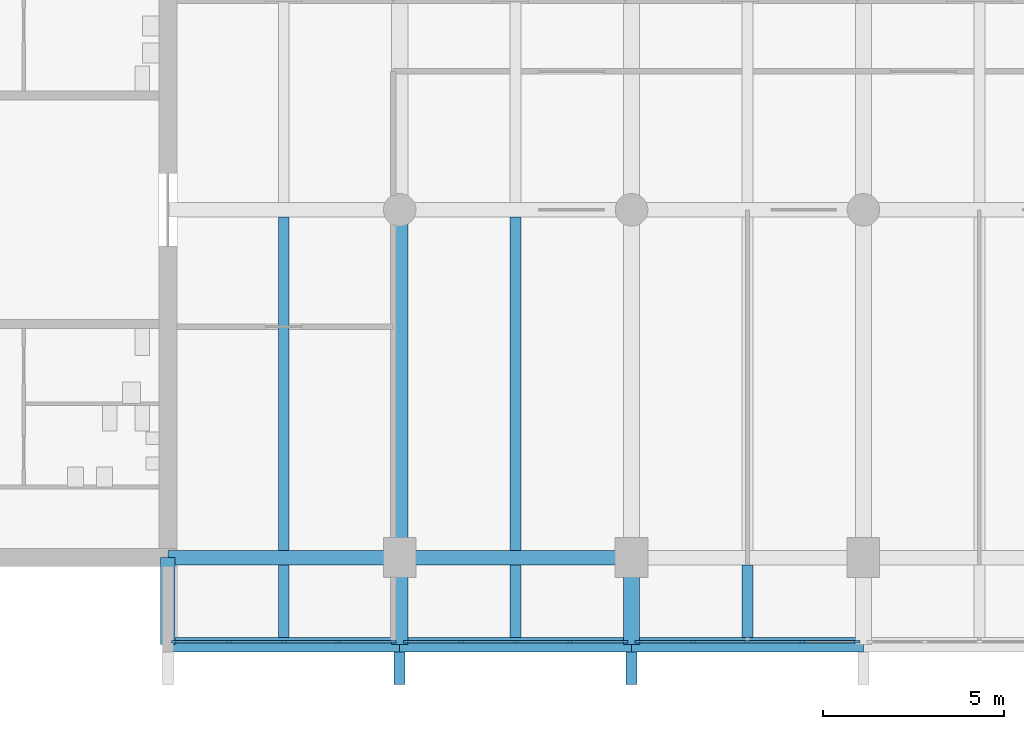
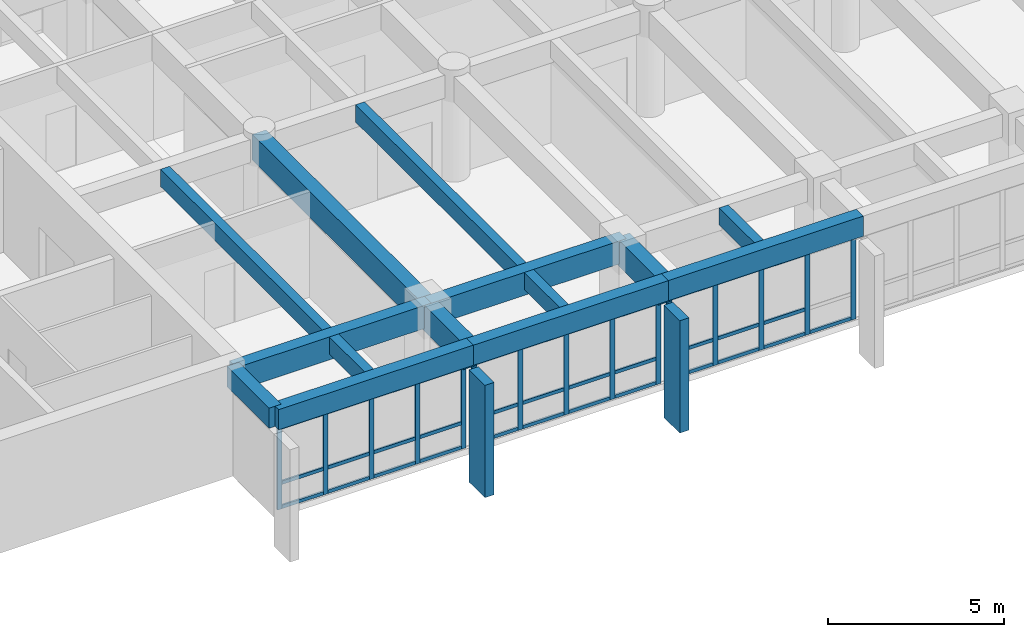
# One storey, part 2 of 15: 51 members, 14 beams, 3 elements without a shape of their own.
"""IFC4 building model written with IfcOpenShell, lengths in metres."""

from ifc_helpers import new_model, si_unit, direction, frame, origin, origin_2d, place, context, subcontext, project, spatial, rectangle, extrude, material, layer, layer_set, material_profile, profile_set, type_object, element, aggregate, save


model = new_model("IFC4")

# Units and contexts
model_context = context("Model", 3, precision=1e-05, world=origin(), true_north=direction((0.0, 1.0)))
body_context = subcontext(model_context, "Body", "Model", "MODEL_VIEW")
ifc_project = project(units=[si_unit("LENGTHUNIT", "METRE"), si_unit("AREAUNIT", "SQUARE_METRE"), si_unit("VOLUMEUNIT", "CUBIC_METRE"), si_unit("PLANEANGLEUNIT", "RADIAN"), si_unit("MASSUNIT", "GRAM", prefix="KILO")], contexts=[model_context])

# Site, building, storey
site_placement = place(None, origin())
site = spatial("IfcSite", under=ifc_project, at=site_placement, CompositionType="ELEMENT")
building_placement = place(site_placement, origin())
building = spatial("IfcBuilding", under=site, at=building_placement, Name="Fogon Plaza Fire Station and Headquarters Tower", CompositionType="ELEMENT")
storey_placement = place(building_placement, frame((0.0, 0.0, 44.39990234375)))
storey = spatial("IfcBuildingStorey", under=building, at=storey_placement, Name="L11", CompositionType="ELEMENT", Elevation=44.39990234375)

# Beams
ifc_material_1 = material(Name="Concrete C40", Category="concrete")
ifc_material_profile_1 = material_profile(ifc_material_1, rectangle(XDim=0.39990234375, YDim=0.699951171875, at=origin_2d()), Name="RC 400x700")
ifc_profile_set_1 = profile_set([ifc_material_profile_1], Name="Concrete C40")
beam_type_1 = type_object("IfcBeamType", Name="BEAM RC 400x700", PredefinedType="BEAM", material=ifc_profile_set_1)
for number, where, z_axis, x_axis, name in (
    (1, (25.60009765625, 31.199951171875, 3.330078125), (1.0, 0.0, 0.0), (0.0, 1.0, 0.0), "beam-L11-039"),
    (2, (32.0, 31.199951171875, 3.330078125), (1.0, 0.0, 0.0), (0.0, 1.0, 0.0), "beam-L11-040"),
):
    element("IfcBeam", number, at=place(storey_placement, frame(where, z_axis=z_axis, x_axis=x_axis)), inside=storey, type_object=beam_type_1, Name=name, PredefinedType="BEAM", context=body_context, shape_type="SweptSolid", body=[
        extrude(rectangle(XDim=0.39990234375, YDim=0.699951171875, at=origin_2d()), origin(), (0.0, 0.0, 1.0), 6.39990234375),
    ])
beam_1_placement = place(storey_placement, frame((38.39990234375, 31.199951171875, 3.330078125), z_axis=(1.0, 0.0, 0.0), x_axis=(0.0, 1.0, 0.0)))
element("IfcBeam", 3, at=beam_1_placement, inside=storey, type_object=beam_type_1, Name="beam-L11-041", PredefinedType="BEAM", context=body_context, shape_type="SweptSolid", body=[
    extrude(rectangle(XDim=0.39990234375, YDim=0.699951171875, at=origin_2d()), origin(), (0.0, 0.0, 1.0), 6.400146484375),
])
ifc_material_2 = material(Name="Concrete C40", Category="concrete")
ifc_material_profile_2 = material_profile(ifc_material_2, rectangle(XDim=0.39990234375, YDim=0.699951171875, at=origin_2d()), Name="RC 400x700")
ifc_profile_set_2 = profile_set([ifc_material_profile_2], Name="Concrete C40")
beam_type_2 = type_object("IfcBeamType", Name="BEAM RC 400x700 SPAN 0.0 TO 3.0 M", PredefinedType="BEAM", material=ifc_profile_set_2)
beam_2_placement = place(storey_placement, frame((25.60009765625, 31.199951171875, 3.330078125), z_axis=(0.0, 1.0, 0.0), x_axis=(-1.0, 0.0, 0.0)))
element("IfcBeam", 4, at=beam_2_placement, inside=storey, type_object=beam_type_2, Name="beam-L11-051", PredefinedType="BEAM", context=body_context, shape_type="SweptSolid", body=[
    extrude(rectangle(XDim=0.39990234375, YDim=0.699951171875, at=origin_2d()), origin(), (0.0, 0.0, 1.0), 2.400146484375),
])
ifc_material_3 = material(Name="Concrete C40", Category="concrete")
ifc_material_profile_3 = material_profile(ifc_material_3, rectangle(XDim=0.39990234375, YDim=0.800048828125, at=origin_2d()), Name="RC 400x800")
ifc_profile_set_3 = profile_set([ifc_material_profile_3], Name="Concrete C40")
beam_type_3 = type_object("IfcBeamType", Name="BEAM RC 400x800", PredefinedType="BEAM", material=ifc_profile_set_3)
for number, where, z_axis, x_axis, name in (
    (5, (25.60009765625, 33.60009765625, 3.280029296875), (1.0, 0.0, 0.0), (0.0, 1.0, 0.0), "beam-L11-021"),
    (6, (32.0, 33.60009765625, 3.280029296875), (1.0, 0.0, 0.0), (0.0, 1.0, 0.0), "beam-L11-022"),
):
    element("IfcBeam", number, at=place(storey_placement, frame(where, z_axis=z_axis, x_axis=x_axis)), inside=storey, type_object=beam_type_3, Name=name, PredefinedType="BEAM", context=body_context, shape_type="SweptSolid", body=[
        extrude(rectangle(XDim=0.39990234375, YDim=0.800048828125, at=origin_2d()), origin(), (0.0, 0.0, 1.0), 6.39990234375),
    ])
ifc_material_4 = material(Name="Concrete C40", Category="concrete")
ifc_material_profile_4 = material_profile(ifc_material_4, rectangle(XDim=0.449951171875, YDim=0.89990234375, at=origin_2d()), Name="RC 450x900")
ifc_profile_set_4 = profile_set([ifc_material_profile_4], Name="Concrete C40")
beam_type_4 = type_object("IfcBeamType", Name="BEAM RC 450x900", PredefinedType="BEAM", material=ifc_profile_set_4)
beam_3_placement = place(storey_placement, frame((32.0, 33.60009765625, 3.22998046875), z_axis=(0.0, 1.0, 0.0), x_axis=(-1.0, 0.0, 0.0)))
element("IfcBeam", 7, at=beam_3_placement, inside=storey, type_object=beam_type_4, Name="beam-L11-002", PredefinedType="BEAM", context=body_context, shape_type="SweptSolid", body=[
    extrude(rectangle(XDim=0.449951171875, YDim=0.89990234375, at=origin_2d()), origin(), (0.0, 0.0, 1.0), 9.599853515625),
])
ifc_material_5 = material(Name="Concrete C40", Category="concrete")
ifc_material_profile_5 = material_profile(ifc_material_5, rectangle(XDim=0.449951171875, YDim=0.89990234375, at=origin_2d()), Name="RC 450x900")
ifc_profile_set_5 = profile_set([ifc_material_profile_5], Name="Concrete C40")
beam_type_5 = type_object("IfcBeamType", Name="BEAM RC 450x900 SPAN 0.0 TO 3.0 M", PredefinedType="BEAM", material=ifc_profile_set_5)
for number, where, z_axis, x_axis, name in (
    (8, (32.0, 31.199951171875, 3.22998046875), (0.0, 1.0, 0.0), (-1.0, 0.0, 0.0), "beam-L11-001"),
    (9, (38.39990234375, 31.199951171875, 3.22998046875), (0.0, 1.0, 0.0), (-1.0, 0.0, 0.0), "beam-L11-005"),
):
    element("IfcBeam", number, at=place(storey_placement, frame(where, z_axis=z_axis, x_axis=x_axis)), inside=storey, type_object=beam_type_5, Name=name, PredefinedType="BEAM", context=body_context, shape_type="SweptSolid", body=[
        extrude(rectangle(XDim=0.449951171875, YDim=0.89990234375, at=origin_2d()), origin(), (0.0, 0.0, 1.0), 2.400146484375),
    ])

# Curtain wall, members
ifc_material_6 = material(Name="Aluminium and glass", Category="aluminium")
ifc_layer = layer(ifc_material_6, 0.14990234375)
ifc_layer_set = layer_set([ifc_layer], Name="Aluminium and glass")
curtain_wall_type = type_object("IfcCurtainWallType", Name="Unitised Curtain Wall Run 6100x2880", PredefinedType="NOTDEFINED", material=ifc_layer_set)
curtain_wall_1_placement = place(storey_placement, origin())
curtain_wall_1 = element("IfcCurtainWall", 10, at=curtain_wall_1_placement, inside=storey, type_object=curtain_wall_type, Name="CW-6100x2880 S1 L11", PredefinedType="NOTDEFINED")
ifc_material_7 = material(Name="Aluminium", Category="aluminium")
ifc_material_profile_6 = material_profile(ifc_material_7, rectangle(XDim=0.06005859375, YDim=0.159912109375, at=origin_2d()), Name="Curtain Wall Mullion 60x160")
ifc_profile_set_6 = profile_set([ifc_material_profile_6], Name="Aluminium")
member_type_1 = type_object("IfcMemberType", Name="Curtain Wall Mullion 60x160", PredefinedType="MULLION", material=ifc_profile_set_6)
member_1_placement = place(storey_placement, frame((25.780029296875, 31.280029296875, 0.0), z_axis=(0.0, 0.0, 1.0), x_axis=(0.0, 1.0, 0.0)))
member_1 = element("IfcMember", 11, at=member_1_placement, type_object=member_type_1, Name="CW-6100x2880 mullion 1", PredefinedType="MULLION", context=body_context, shape_type="SweptSolid", body=[
    extrude(rectangle(XDim=0.06005859375, YDim=0.159912109375, at=origin_2d()), origin(), (0.0, 0.0, 1.0), 2.880126953125),
])
member_2_placement = place(storey_placement, frame((27.2900390625, 31.280029296875, 0.0), z_axis=(0.0, 0.0, 1.0), x_axis=(0.0, 1.0, 0.0)))
member_2 = element("IfcMember", 12, at=member_2_placement, type_object=member_type_1, Name="CW-6100x2880 mullion 2", PredefinedType="MULLION", context=body_context, shape_type="SweptSolid", body=[
    extrude(rectangle(XDim=0.06005859375, YDim=0.159912109375, at=origin_2d()), origin(), (0.0, 0.0, 1.0), 2.880126953125),
])
member_3_placement = place(storey_placement, frame((28.800048828125, 31.280029296875, 0.0), z_axis=(0.0, 0.0, 1.0), x_axis=(0.0, 1.0, 0.0)))
member_3 = element("IfcMember", 13, at=member_3_placement, type_object=member_type_1, Name="CW-6100x2880 mullion 3", PredefinedType="MULLION", context=body_context, shape_type="SweptSolid", body=[
    extrude(rectangle(XDim=0.06005859375, YDim=0.159912109375, at=origin_2d()), origin(), (0.0, 0.0, 1.0), 2.880126953125),
])
member_4_placement = place(storey_placement, frame((30.31005859375, 31.280029296875, 0.0), z_axis=(0.0, 0.0, 1.0), x_axis=(0.0, 1.0, 0.0)))
member_4 = element("IfcMember", 14, at=member_4_placement, type_object=member_type_1, Name="CW-6100x2880 mullion 4", PredefinedType="MULLION", context=body_context, shape_type="SweptSolid", body=[
    extrude(rectangle(XDim=0.06005859375, YDim=0.159912109375, at=origin_2d()), origin(), (0.0, 0.0, 1.0), 2.880126953125),
])
member_5_placement = place(storey_placement, frame((31.820068359375, 31.280029296875, 0.0), z_axis=(0.0, 0.0, 1.0), x_axis=(0.0, 1.0, 0.0)))
member_5 = element("IfcMember", 15, at=member_5_placement, type_object=member_type_1, Name="CW-6100x2880 mullion 5", PredefinedType="MULLION", context=body_context, shape_type="SweptSolid", body=[
    extrude(rectangle(XDim=0.06005859375, YDim=0.159912109375, at=origin_2d()), origin(), (0.0, 0.0, 1.0), 2.880126953125),
])

curtain_wall_2_placement = place(storey_placement, origin())
curtain_wall_2 = element("IfcCurtainWall", 16, at=curtain_wall_2_placement, inside=storey, type_object=curtain_wall_type, Name="CW-6100x2880 S2 L11", PredefinedType="NOTDEFINED")
member_6_placement = place(storey_placement, frame((32.179931640625, 31.280029296875, 0.0), z_axis=(0.0, 0.0, 1.0), x_axis=(0.0, 1.0, 0.0)))
member_6 = element("IfcMember", 17, at=member_6_placement, type_object=member_type_1, Name="CW-6100x2880 mullion 1", PredefinedType="MULLION", context=body_context, shape_type="SweptSolid", body=[
    extrude(rectangle(XDim=0.06005859375, YDim=0.159912109375, at=origin_2d()), origin(), (0.0, 0.0, 1.0), 2.880126953125),
])
member_7_placement = place(storey_placement, frame((33.68994140625, 31.280029296875, 0.0), z_axis=(0.0, 0.0, 1.0), x_axis=(0.0, 1.0, 0.0)))
member_7 = element("IfcMember", 18, at=member_7_placement, type_object=member_type_1, Name="CW-6100x2880 mullion 2", PredefinedType="MULLION", context=body_context, shape_type="SweptSolid", body=[
    extrude(rectangle(XDim=0.06005859375, YDim=0.159912109375, at=origin_2d()), origin(), (0.0, 0.0, 1.0), 2.880126953125),
])
member_8_placement = place(storey_placement, frame((35.199951171875, 31.280029296875, 0.0), z_axis=(0.0, 0.0, 1.0), x_axis=(0.0, 1.0, 0.0)))
member_8 = element("IfcMember", 19, at=member_8_placement, type_object=member_type_1, Name="CW-6100x2880 mullion 3", PredefinedType="MULLION", context=body_context, shape_type="SweptSolid", body=[
    extrude(rectangle(XDim=0.06005859375, YDim=0.159912109375, at=origin_2d()), origin(), (0.0, 0.0, 1.0), 2.880126953125),
])
member_9_placement = place(storey_placement, frame((36.7099609375, 31.280029296875, 0.0), z_axis=(0.0, 0.0, 1.0), x_axis=(0.0, 1.0, 0.0)))
member_9 = element("IfcMember", 20, at=member_9_placement, type_object=member_type_1, Name="CW-6100x2880 mullion 4", PredefinedType="MULLION", context=body_context, shape_type="SweptSolid", body=[
    extrude(rectangle(XDim=0.06005859375, YDim=0.159912109375, at=origin_2d()), origin(), (0.0, 0.0, 1.0), 2.880126953125),
])
member_10_placement = place(storey_placement, frame((38.219970703125, 31.280029296875, 0.0), z_axis=(0.0, 0.0, 1.0), x_axis=(0.0, 1.0, 0.0)))
member_10 = element("IfcMember", 21, at=member_10_placement, type_object=member_type_1, Name="CW-6100x2880 mullion 5", PredefinedType="MULLION", context=body_context, shape_type="SweptSolid", body=[
    extrude(rectangle(XDim=0.06005859375, YDim=0.159912109375, at=origin_2d()), origin(), (0.0, 0.0, 1.0), 2.880126953125),
])

curtain_wall_3_placement = place(storey_placement, origin())
curtain_wall_3 = element("IfcCurtainWall", 22, at=curtain_wall_3_placement, inside=storey, type_object=curtain_wall_type, Name="CW-6100x2880 S3 L11", PredefinedType="NOTDEFINED")
member_11_placement = place(storey_placement, frame((38.580078125, 31.280029296875, 0.0), z_axis=(0.0, 0.0, 1.0), x_axis=(0.0, 1.0, 0.0)))
member_11 = element("IfcMember", 23, at=member_11_placement, type_object=member_type_1, Name="CW-6100x2880 mullion 1", PredefinedType="MULLION", context=body_context, shape_type="SweptSolid", body=[
    extrude(rectangle(XDim=0.06005859375, YDim=0.159912109375, at=origin_2d()), origin(), (0.0, 0.0, 1.0), 2.880126953125),
])
member_12_placement = place(storey_placement, frame((40.090087890625, 31.280029296875, 0.0), z_axis=(0.0, 0.0, 1.0), x_axis=(0.0, 1.0, 0.0)))
member_12 = element("IfcMember", 24, at=member_12_placement, type_object=member_type_1, Name="CW-6100x2880 mullion 2", PredefinedType="MULLION", context=body_context, shape_type="SweptSolid", body=[
    extrude(rectangle(XDim=0.06005859375, YDim=0.159912109375, at=origin_2d()), origin(), (0.0, 0.0, 1.0), 2.880126953125),
])
member_13_placement = place(storey_placement, frame((41.60009765625, 31.280029296875, 0.0), z_axis=(0.0, 0.0, 1.0), x_axis=(0.0, 1.0, 0.0)))
member_13 = element("IfcMember", 25, at=member_13_placement, type_object=member_type_1, Name="CW-6100x2880 mullion 3", PredefinedType="MULLION", context=body_context, shape_type="SweptSolid", body=[
    extrude(rectangle(XDim=0.06005859375, YDim=0.159912109375, at=origin_2d()), origin(), (0.0, 0.0, 1.0), 2.880126953125),
])
member_14_placement = place(storey_placement, frame((43.110107421875, 31.280029296875, 0.0), z_axis=(0.0, 0.0, 1.0), x_axis=(0.0, 1.0, 0.0)))
member_14 = element("IfcMember", 26, at=member_14_placement, type_object=member_type_1, Name="CW-6100x2880 mullion 4", PredefinedType="MULLION", context=body_context, shape_type="SweptSolid", body=[
    extrude(rectangle(XDim=0.06005859375, YDim=0.159912109375, at=origin_2d()), origin(), (0.0, 0.0, 1.0), 2.880126953125),
])
member_15_placement = place(storey_placement, frame((44.6201171875, 31.280029296875, 0.0), z_axis=(0.0, 0.0, 1.0), x_axis=(0.0, 1.0, 0.0)))
member_15 = element("IfcMember", 27, at=member_15_placement, type_object=member_type_1, Name="CW-6100x2880 mullion 5", PredefinedType="MULLION", context=body_context, shape_type="SweptSolid", body=[
    extrude(rectangle(XDim=0.06005859375, YDim=0.159912109375, at=origin_2d()), origin(), (0.0, 0.0, 1.0), 2.880126953125),
])

# Member
ifc_material_8 = material(Name="Aluminium", Category="aluminium")
ifc_material_profile_7 = material_profile(ifc_material_8, rectangle(XDim=0.06005859375, YDim=0.1201171875, at=origin_2d()), Name="Curtain Wall Transom 60x120")
ifc_profile_set_7 = profile_set([ifc_material_profile_7], Name="Aluminium")
member_type_2 = type_object("IfcMemberType", Name="Curtain Wall Transom 60x120", PredefinedType="USERDEFINED", material=ifc_profile_set_7)
member_16_placement = place(storey_placement, frame((25.81005859375, 31.280029296875, 0.06005859375), z_axis=(1.0, 0.0, 0.0), x_axis=(0.0, 1.0, 0.0)))
member_16 = element("IfcMember", 28, at=member_16_placement, type_object=member_type_2, Name="CW-6100x2880 transom 1.1", ObjectType="TRANSOM", PredefinedType="USERDEFINED", context=body_context, shape_type="SweptSolid", body=[
    extrude(rectangle(XDim=0.06005859375, YDim=0.1201171875, at=origin_2d()), origin(), (0.0, 0.0, 1.0), 1.449951171875),
])

member_17_placement = place(storey_placement, frame((25.81005859375, 31.280029296875, 0.900146484375), z_axis=(1.0, 0.0, 0.0), x_axis=(0.0, 1.0, 0.0)))
member_17 = element("IfcMember", 29, at=member_17_placement, type_object=member_type_2, Name="CW-6100x2880 transom 1.2", ObjectType="TRANSOM", PredefinedType="USERDEFINED", context=body_context, shape_type="SweptSolid", body=[
    extrude(rectangle(XDim=0.06005859375, YDim=0.1201171875, at=origin_2d()), origin(), (0.0, 0.0, 1.0), 1.449951171875),
])

member_18_placement = place(storey_placement, frame((25.81005859375, 31.280029296875, 2.820068359375), z_axis=(1.0, 0.0, 0.0), x_axis=(0.0, 1.0, 0.0)))
member_18 = element("IfcMember", 30, at=member_18_placement, type_object=member_type_2, Name="CW-6100x2880 transom 1.3", ObjectType="TRANSOM", PredefinedType="USERDEFINED", context=body_context, shape_type="SweptSolid", body=[
    extrude(rectangle(XDim=0.06005859375, YDim=0.1201171875, at=origin_2d()), origin(), (0.0, 0.0, 1.0), 1.449951171875),
])

member_19_placement = place(storey_placement, frame((27.320068359375, 31.280029296875, 0.06005859375), z_axis=(1.0, 0.0, 0.0), x_axis=(0.0, 1.0, 0.0)))
member_19 = element("IfcMember", 31, at=member_19_placement, type_object=member_type_2, Name="CW-6100x2880 transom 2.1", ObjectType="TRANSOM", PredefinedType="USERDEFINED", context=body_context, shape_type="SweptSolid", body=[
    extrude(rectangle(XDim=0.06005859375, YDim=0.1201171875, at=origin_2d()), origin(), (0.0, 0.0, 1.0), 1.449951171875),
])

member_20_placement = place(storey_placement, frame((27.320068359375, 31.280029296875, 0.900146484375), z_axis=(1.0, 0.0, 0.0), x_axis=(0.0, 1.0, 0.0)))
member_20 = element("IfcMember", 32, at=member_20_placement, type_object=member_type_2, Name="CW-6100x2880 transom 2.2", ObjectType="TRANSOM", PredefinedType="USERDEFINED", context=body_context, shape_type="SweptSolid", body=[
    extrude(rectangle(XDim=0.06005859375, YDim=0.1201171875, at=origin_2d()), origin(), (0.0, 0.0, 1.0), 1.449951171875),
])

member_21_placement = place(storey_placement, frame((27.320068359375, 31.280029296875, 2.820068359375), z_axis=(1.0, 0.0, 0.0), x_axis=(0.0, 1.0, 0.0)))
member_21 = element("IfcMember", 33, at=member_21_placement, type_object=member_type_2, Name="CW-6100x2880 transom 2.3", ObjectType="TRANSOM", PredefinedType="USERDEFINED", context=body_context, shape_type="SweptSolid", body=[
    extrude(rectangle(XDim=0.06005859375, YDim=0.1201171875, at=origin_2d()), origin(), (0.0, 0.0, 1.0), 1.449951171875),
])

member_22_placement = place(storey_placement, frame((28.830078125, 31.280029296875, 0.06005859375), z_axis=(1.0, 0.0, 0.0), x_axis=(0.0, 1.0, 0.0)))
member_22 = element("IfcMember", 34, at=member_22_placement, type_object=member_type_2, Name="CW-6100x2880 transom 3.1", ObjectType="TRANSOM", PredefinedType="USERDEFINED", context=body_context, shape_type="SweptSolid", body=[
    extrude(rectangle(XDim=0.06005859375, YDim=0.1201171875, at=origin_2d()), origin(), (0.0, 0.0, 1.0), 1.449951171875),
])

member_23_placement = place(storey_placement, frame((28.830078125, 31.280029296875, 0.900146484375), z_axis=(1.0, 0.0, 0.0), x_axis=(0.0, 1.0, 0.0)))
member_23 = element("IfcMember", 35, at=member_23_placement, type_object=member_type_2, Name="CW-6100x2880 transom 3.2", ObjectType="TRANSOM", PredefinedType="USERDEFINED", context=body_context, shape_type="SweptSolid", body=[
    extrude(rectangle(XDim=0.06005859375, YDim=0.1201171875, at=origin_2d()), origin(), (0.0, 0.0, 1.0), 1.449951171875),
])

member_24_placement = place(storey_placement, frame((28.830078125, 31.280029296875, 2.820068359375), z_axis=(1.0, 0.0, 0.0), x_axis=(0.0, 1.0, 0.0)))
member_24 = element("IfcMember", 36, at=member_24_placement, type_object=member_type_2, Name="CW-6100x2880 transom 3.3", ObjectType="TRANSOM", PredefinedType="USERDEFINED", context=body_context, shape_type="SweptSolid", body=[
    extrude(rectangle(XDim=0.06005859375, YDim=0.1201171875, at=origin_2d()), origin(), (0.0, 0.0, 1.0), 1.449951171875),
])

member_25_placement = place(storey_placement, frame((30.340087890625, 31.280029296875, 0.06005859375), z_axis=(1.0, 0.0, 0.0), x_axis=(0.0, 1.0, 0.0)))
member_25 = element("IfcMember", 37, at=member_25_placement, type_object=member_type_2, Name="CW-6100x2880 transom 4.1", ObjectType="TRANSOM", PredefinedType="USERDEFINED", context=body_context, shape_type="SweptSolid", body=[
    extrude(rectangle(XDim=0.06005859375, YDim=0.1201171875, at=origin_2d()), origin(), (0.0, 0.0, 1.0), 1.449951171875),
])

member_26_placement = place(storey_placement, frame((30.340087890625, 31.280029296875, 0.900146484375), z_axis=(1.0, 0.0, 0.0), x_axis=(0.0, 1.0, 0.0)))
member_26 = element("IfcMember", 38, at=member_26_placement, type_object=member_type_2, Name="CW-6100x2880 transom 4.2", ObjectType="TRANSOM", PredefinedType="USERDEFINED", context=body_context, shape_type="SweptSolid", body=[
    extrude(rectangle(XDim=0.06005859375, YDim=0.1201171875, at=origin_2d()), origin(), (0.0, 0.0, 1.0), 1.449951171875),
])

member_27_placement = place(storey_placement, frame((30.340087890625, 31.280029296875, 2.820068359375), z_axis=(1.0, 0.0, 0.0), x_axis=(0.0, 1.0, 0.0)))
member_27 = element("IfcMember", 39, at=member_27_placement, type_object=member_type_2, Name="CW-6100x2880 transom 4.3", ObjectType="TRANSOM", PredefinedType="USERDEFINED", context=body_context, shape_type="SweptSolid", body=[
    extrude(rectangle(XDim=0.06005859375, YDim=0.1201171875, at=origin_2d()), origin(), (0.0, 0.0, 1.0), 1.449951171875),
])

aggregate(curtain_wall_1, [member_1, member_2, member_3, member_4, member_5, member_16, member_17, member_18, member_19, member_20, member_21, member_22, member_23, member_24, member_25, member_26, member_27])

member_28_placement = place(storey_placement, frame((32.2099609375, 31.280029296875, 0.06005859375), z_axis=(1.0, 0.0, 0.0), x_axis=(0.0, 1.0, 0.0)))
member_28 = element("IfcMember", 40, at=member_28_placement, type_object=member_type_2, Name="CW-6100x2880 transom 1.1", ObjectType="TRANSOM", PredefinedType="USERDEFINED", context=body_context, shape_type="SweptSolid", body=[
    extrude(rectangle(XDim=0.06005859375, YDim=0.1201171875, at=origin_2d()), origin(), (0.0, 0.0, 1.0), 1.449951171875),
])

member_29_placement = place(storey_placement, frame((32.2099609375, 31.280029296875, 0.900146484375), z_axis=(1.0, 0.0, 0.0), x_axis=(0.0, 1.0, 0.0)))
member_29 = element("IfcMember", 41, at=member_29_placement, type_object=member_type_2, Name="CW-6100x2880 transom 1.2", ObjectType="TRANSOM", PredefinedType="USERDEFINED", context=body_context, shape_type="SweptSolid", body=[
    extrude(rectangle(XDim=0.06005859375, YDim=0.1201171875, at=origin_2d()), origin(), (0.0, 0.0, 1.0), 1.449951171875),
])

member_30_placement = place(storey_placement, frame((32.2099609375, 31.280029296875, 2.820068359375), z_axis=(1.0, 0.0, 0.0), x_axis=(0.0, 1.0, 0.0)))
member_30 = element("IfcMember", 42, at=member_30_placement, type_object=member_type_2, Name="CW-6100x2880 transom 1.3", ObjectType="TRANSOM", PredefinedType="USERDEFINED", context=body_context, shape_type="SweptSolid", body=[
    extrude(rectangle(XDim=0.06005859375, YDim=0.1201171875, at=origin_2d()), origin(), (0.0, 0.0, 1.0), 1.449951171875),
])

member_31_placement = place(storey_placement, frame((33.719970703125, 31.280029296875, 0.06005859375), z_axis=(1.0, 0.0, 0.0), x_axis=(0.0, 1.0, 0.0)))
member_31 = element("IfcMember", 43, at=member_31_placement, type_object=member_type_2, Name="CW-6100x2880 transom 2.1", ObjectType="TRANSOM", PredefinedType="USERDEFINED", context=body_context, shape_type="SweptSolid", body=[
    extrude(rectangle(XDim=0.06005859375, YDim=0.1201171875, at=origin_2d()), origin(), (0.0, 0.0, 1.0), 1.449951171875),
])

member_32_placement = place(storey_placement, frame((33.719970703125, 31.280029296875, 0.900146484375), z_axis=(1.0, 0.0, 0.0), x_axis=(0.0, 1.0, 0.0)))
member_32 = element("IfcMember", 44, at=member_32_placement, type_object=member_type_2, Name="CW-6100x2880 transom 2.2", ObjectType="TRANSOM", PredefinedType="USERDEFINED", context=body_context, shape_type="SweptSolid", body=[
    extrude(rectangle(XDim=0.06005859375, YDim=0.1201171875, at=origin_2d()), origin(), (0.0, 0.0, 1.0), 1.449951171875),
])

member_33_placement = place(storey_placement, frame((33.719970703125, 31.280029296875, 2.820068359375), z_axis=(1.0, 0.0, 0.0), x_axis=(0.0, 1.0, 0.0)))
member_33 = element("IfcMember", 45, at=member_33_placement, type_object=member_type_2, Name="CW-6100x2880 transom 2.3", ObjectType="TRANSOM", PredefinedType="USERDEFINED", context=body_context, shape_type="SweptSolid", body=[
    extrude(rectangle(XDim=0.06005859375, YDim=0.1201171875, at=origin_2d()), origin(), (0.0, 0.0, 1.0), 1.449951171875),
])

member_34_placement = place(storey_placement, frame((35.22998046875, 31.280029296875, 0.06005859375), z_axis=(1.0, 0.0, 0.0), x_axis=(0.0, 1.0, 0.0)))
member_34 = element("IfcMember", 46, at=member_34_placement, type_object=member_type_2, Name="CW-6100x2880 transom 3.1", ObjectType="TRANSOM", PredefinedType="USERDEFINED", context=body_context, shape_type="SweptSolid", body=[
    extrude(rectangle(XDim=0.06005859375, YDim=0.1201171875, at=origin_2d()), origin(), (0.0, 0.0, 1.0), 1.449951171875),
])

member_35_placement = place(storey_placement, frame((35.22998046875, 31.280029296875, 0.900146484375), z_axis=(1.0, 0.0, 0.0), x_axis=(0.0, 1.0, 0.0)))
member_35 = element("IfcMember", 47, at=member_35_placement, type_object=member_type_2, Name="CW-6100x2880 transom 3.2", ObjectType="TRANSOM", PredefinedType="USERDEFINED", context=body_context, shape_type="SweptSolid", body=[
    extrude(rectangle(XDim=0.06005859375, YDim=0.1201171875, at=origin_2d()), origin(), (0.0, 0.0, 1.0), 1.449951171875),
])

member_36_placement = place(storey_placement, frame((35.22998046875, 31.280029296875, 2.820068359375), z_axis=(1.0, 0.0, 0.0), x_axis=(0.0, 1.0, 0.0)))
member_36 = element("IfcMember", 48, at=member_36_placement, type_object=member_type_2, Name="CW-6100x2880 transom 3.3", ObjectType="TRANSOM", PredefinedType="USERDEFINED", context=body_context, shape_type="SweptSolid", body=[
    extrude(rectangle(XDim=0.06005859375, YDim=0.1201171875, at=origin_2d()), origin(), (0.0, 0.0, 1.0), 1.449951171875),
])

member_37_placement = place(storey_placement, frame((36.739990234375, 31.280029296875, 0.06005859375), z_axis=(1.0, 0.0, 0.0), x_axis=(0.0, 1.0, 0.0)))
member_37 = element("IfcMember", 49, at=member_37_placement, type_object=member_type_2, Name="CW-6100x2880 transom 4.1", ObjectType="TRANSOM", PredefinedType="USERDEFINED", context=body_context, shape_type="SweptSolid", body=[
    extrude(rectangle(XDim=0.06005859375, YDim=0.1201171875, at=origin_2d()), origin(), (0.0, 0.0, 1.0), 1.449951171875),
])

member_38_placement = place(storey_placement, frame((36.739990234375, 31.280029296875, 0.900146484375), z_axis=(1.0, 0.0, 0.0), x_axis=(0.0, 1.0, 0.0)))
member_38 = element("IfcMember", 50, at=member_38_placement, type_object=member_type_2, Name="CW-6100x2880 transom 4.2", ObjectType="TRANSOM", PredefinedType="USERDEFINED", context=body_context, shape_type="SweptSolid", body=[
    extrude(rectangle(XDim=0.06005859375, YDim=0.1201171875, at=origin_2d()), origin(), (0.0, 0.0, 1.0), 1.449951171875),
])

member_39_placement = place(storey_placement, frame((36.739990234375, 31.280029296875, 2.820068359375), z_axis=(1.0, 0.0, 0.0), x_axis=(0.0, 1.0, 0.0)))
member_39 = element("IfcMember", 51, at=member_39_placement, type_object=member_type_2, Name="CW-6100x2880 transom 4.3", ObjectType="TRANSOM", PredefinedType="USERDEFINED", context=body_context, shape_type="SweptSolid", body=[
    extrude(rectangle(XDim=0.06005859375, YDim=0.1201171875, at=origin_2d()), origin(), (0.0, 0.0, 1.0), 1.449951171875),
])

aggregate(curtain_wall_2, [member_6, member_7, member_8, member_9, member_10, member_28, member_29, member_30, member_31, member_32, member_33, member_34, member_35, member_36, member_37, member_38, member_39])

member_40_placement = place(storey_placement, frame((38.610107421875, 31.280029296875, 0.06005859375), z_axis=(1.0, 0.0, 0.0), x_axis=(0.0, 1.0, 0.0)))
member_40 = element("IfcMember", 52, at=member_40_placement, type_object=member_type_2, Name="CW-6100x2880 transom 1.1", ObjectType="TRANSOM", PredefinedType="USERDEFINED", context=body_context, shape_type="SweptSolid", body=[
    extrude(rectangle(XDim=0.06005859375, YDim=0.1201171875, at=origin_2d()), origin(), (0.0, 0.0, 1.0), 1.449951171875),
])

member_41_placement = place(storey_placement, frame((38.610107421875, 31.280029296875, 0.900146484375), z_axis=(1.0, 0.0, 0.0), x_axis=(0.0, 1.0, 0.0)))
member_41 = element("IfcMember", 53, at=member_41_placement, type_object=member_type_2, Name="CW-6100x2880 transom 1.2", ObjectType="TRANSOM", PredefinedType="USERDEFINED", context=body_context, shape_type="SweptSolid", body=[
    extrude(rectangle(XDim=0.06005859375, YDim=0.1201171875, at=origin_2d()), origin(), (0.0, 0.0, 1.0), 1.449951171875),
])

member_42_placement = place(storey_placement, frame((38.610107421875, 31.280029296875, 2.820068359375), z_axis=(1.0, 0.0, 0.0), x_axis=(0.0, 1.0, 0.0)))
member_42 = element("IfcMember", 54, at=member_42_placement, type_object=member_type_2, Name="CW-6100x2880 transom 1.3", ObjectType="TRANSOM", PredefinedType="USERDEFINED", context=body_context, shape_type="SweptSolid", body=[
    extrude(rectangle(XDim=0.06005859375, YDim=0.1201171875, at=origin_2d()), origin(), (0.0, 0.0, 1.0), 1.449951171875),
])

member_43_placement = place(storey_placement, frame((40.1201171875, 31.280029296875, 0.06005859375), z_axis=(1.0, 0.0, 0.0), x_axis=(0.0, 1.0, 0.0)))
member_43 = element("IfcMember", 55, at=member_43_placement, type_object=member_type_2, Name="CW-6100x2880 transom 2.1", ObjectType="TRANSOM", PredefinedType="USERDEFINED", context=body_context, shape_type="SweptSolid", body=[
    extrude(rectangle(XDim=0.06005859375, YDim=0.1201171875, at=origin_2d()), origin(), (0.0, 0.0, 1.0), 1.449951171875),
])

member_44_placement = place(storey_placement, frame((40.1201171875, 31.280029296875, 0.900146484375), z_axis=(1.0, 0.0, 0.0), x_axis=(0.0, 1.0, 0.0)))
member_44 = element("IfcMember", 56, at=member_44_placement, type_object=member_type_2, Name="CW-6100x2880 transom 2.2", ObjectType="TRANSOM", PredefinedType="USERDEFINED", context=body_context, shape_type="SweptSolid", body=[
    extrude(rectangle(XDim=0.06005859375, YDim=0.1201171875, at=origin_2d()), origin(), (0.0, 0.0, 1.0), 1.449951171875),
])

member_45_placement = place(storey_placement, frame((40.1201171875, 31.280029296875, 2.820068359375), z_axis=(1.0, 0.0, 0.0), x_axis=(0.0, 1.0, 0.0)))
member_45 = element("IfcMember", 57, at=member_45_placement, type_object=member_type_2, Name="CW-6100x2880 transom 2.3", ObjectType="TRANSOM", PredefinedType="USERDEFINED", context=body_context, shape_type="SweptSolid", body=[
    extrude(rectangle(XDim=0.06005859375, YDim=0.1201171875, at=origin_2d()), origin(), (0.0, 0.0, 1.0), 1.449951171875),
])

member_46_placement = place(storey_placement, frame((41.6298828125, 31.280029296875, 0.06005859375), z_axis=(1.0, 0.0, 0.0), x_axis=(0.0, 1.0, 0.0)))
member_46 = element("IfcMember", 58, at=member_46_placement, type_object=member_type_2, Name="CW-6100x2880 transom 3.1", ObjectType="TRANSOM", PredefinedType="USERDEFINED", context=body_context, shape_type="SweptSolid", body=[
    extrude(rectangle(XDim=0.06005859375, YDim=0.1201171875, at=origin_2d()), origin(), (0.0, 0.0, 1.0), 1.4501953125),
])

member_47_placement = place(storey_placement, frame((41.6298828125, 31.280029296875, 0.900146484375), z_axis=(1.0, 0.0, 0.0), x_axis=(0.0, 1.0, 0.0)))
member_47 = element("IfcMember", 59, at=member_47_placement, type_object=member_type_2, Name="CW-6100x2880 transom 3.2", ObjectType="TRANSOM", PredefinedType="USERDEFINED", context=body_context, shape_type="SweptSolid", body=[
    extrude(rectangle(XDim=0.06005859375, YDim=0.1201171875, at=origin_2d()), origin(), (0.0, 0.0, 1.0), 1.4501953125),
])

member_48_placement = place(storey_placement, frame((41.6298828125, 31.280029296875, 2.820068359375), z_axis=(1.0, 0.0, 0.0), x_axis=(0.0, 1.0, 0.0)))
member_48 = element("IfcMember", 60, at=member_48_placement, type_object=member_type_2, Name="CW-6100x2880 transom 3.3", ObjectType="TRANSOM", PredefinedType="USERDEFINED", context=body_context, shape_type="SweptSolid", body=[
    extrude(rectangle(XDim=0.06005859375, YDim=0.1201171875, at=origin_2d()), origin(), (0.0, 0.0, 1.0), 1.4501953125),
])

member_49_placement = place(storey_placement, frame((43.139892578125, 31.280029296875, 0.06005859375), z_axis=(1.0, 0.0, 0.0), x_axis=(0.0, 1.0, 0.0)))
member_49 = element("IfcMember", 61, at=member_49_placement, type_object=member_type_2, Name="CW-6100x2880 transom 4.1", ObjectType="TRANSOM", PredefinedType="USERDEFINED", context=body_context, shape_type="SweptSolid", body=[
    extrude(rectangle(XDim=0.06005859375, YDim=0.1201171875, at=origin_2d()), origin(), (0.0, 0.0, 1.0), 1.4501953125),
])

aggregate(curtain_wall_3, [member_11, member_12, member_13, member_14, member_15, member_40, member_41, member_42, member_43, member_44, member_45, member_46, member_47, member_48, member_49])

# Beams
ifc_material_9 = material(Name="Concrete C40", Category="concrete")
ifc_material_profile_8 = material_profile(ifc_material_9, rectangle(XDim=0.300048828125, YDim=0.60009765625, at=origin_2d()), Name="RC 300x600")
ifc_profile_set_8 = profile_set([ifc_material_profile_8], Name="Concrete C40")
beam_type_6 = type_object("IfcBeamType", Name="JOIST RC 300x600", PredefinedType="JOIST", material=ifc_profile_set_8)
for number, where, z_axis, x_axis, name in (
    (62, (28.800048828125, 33.800048828125, 3.380126953125), (0.0, 1.0, 0.0), (-1.0, 0.0, 0.0), "beam-L11-056"),
    (63, (35.199951171875, 33.800048828125, 3.380126953125), (0.0, 1.0, 0.0), (-1.0, 0.0, 0.0), "beam-L11-060"),
):
    element("IfcBeam", number, at=place(storey_placement, frame(where, z_axis=z_axis, x_axis=x_axis)), inside=storey, type_object=beam_type_6, Name=name, PredefinedType="JOIST", context=body_context, shape_type="SweptSolid", body=[
        extrude(rectangle(XDim=0.300048828125, YDim=0.60009765625, at=origin_2d()), origin(), (0.0, 0.0, 1.0), 9.199951171875),
    ])
ifc_material_10 = material(Name="Concrete C40", Category="concrete")
ifc_material_profile_9 = material_profile(ifc_material_10, rectangle(XDim=0.300048828125, YDim=0.60009765625, at=origin_2d()), Name="RC 300x600")
ifc_profile_set_9 = profile_set([ifc_material_profile_9], Name="Concrete C40")
beam_type_7 = type_object("IfcBeamType", Name="JOIST RC 300x600 SPAN 0.0 TO 3.0 M", PredefinedType="JOIST", material=ifc_profile_set_9)
for number, where, z_axis, x_axis, name in (
    (64, (28.800048828125, 31.39990234375, 3.380126953125), (0.0, 1.0, 0.0), (-1.0, 0.0, 0.0), "beam-L11-055"),
    (65, (35.199951171875, 31.39990234375, 3.380126953125), (0.0, 1.0, 0.0), (-1.0, 0.0, 0.0), "beam-L11-059"),
    (66, (41.60009765625, 31.39990234375, 3.380126953125), (0.0, 1.0, 0.0), (-1.0, 0.0, 0.0), "beam-L11-063"),
):
    element("IfcBeam", number, at=place(storey_placement, frame(where, z_axis=z_axis, x_axis=x_axis)), inside=storey, type_object=beam_type_7, Name=name, PredefinedType="JOIST", context=body_context, shape_type="SweptSolid", body=[
        extrude(rectangle(XDim=0.300048828125, YDim=0.60009765625, at=origin_2d()), origin(), (0.0, 0.0, 1.0), 2.0),
    ])

# Members
ifc_material_11 = material(Name="Concrete C40 precast", Category="concrete")
ifc_material_profile_10 = material_profile(ifc_material_11, rectangle(XDim=0.300048828125, YDim=0.89990234375, at=origin_2d()), Name="Precast Concrete Post 300x900")
ifc_profile_set_10 = profile_set([ifc_material_profile_10], Name="Concrete C40 precast")
member_type_3 = type_object("IfcMemberType", Name="Precast Concrete Post 300x900", PredefinedType="POST", material=ifc_profile_set_10)
for number, where, z_axis, x_axis, name in (
    (67, (32.0, 30.550048828125, -1.02001953125), (0.0, 0.0, 1.0), (1.0, 0.0, 0.0), "Precast Post S L11"),
    (68, (38.39990234375, 30.550048828125, -1.02001953125), (0.0, 0.0, 1.0), (1.0, 0.0, 0.0), "Precast Post S L11"),
):
    element("IfcMember", number, at=place(storey_placement, frame(where, z_axis=z_axis, x_axis=x_axis)), inside=storey, type_object=member_type_3, Name=name, PredefinedType="POST", context=body_context, shape_type="SweptSolid", body=[
        extrude(rectangle(XDim=0.300048828125, YDim=0.89990234375, at=origin_2d()), origin(), (0.0, 0.0, 1.0), 3.900146484375),
    ])

save(model, "model.ifc")
